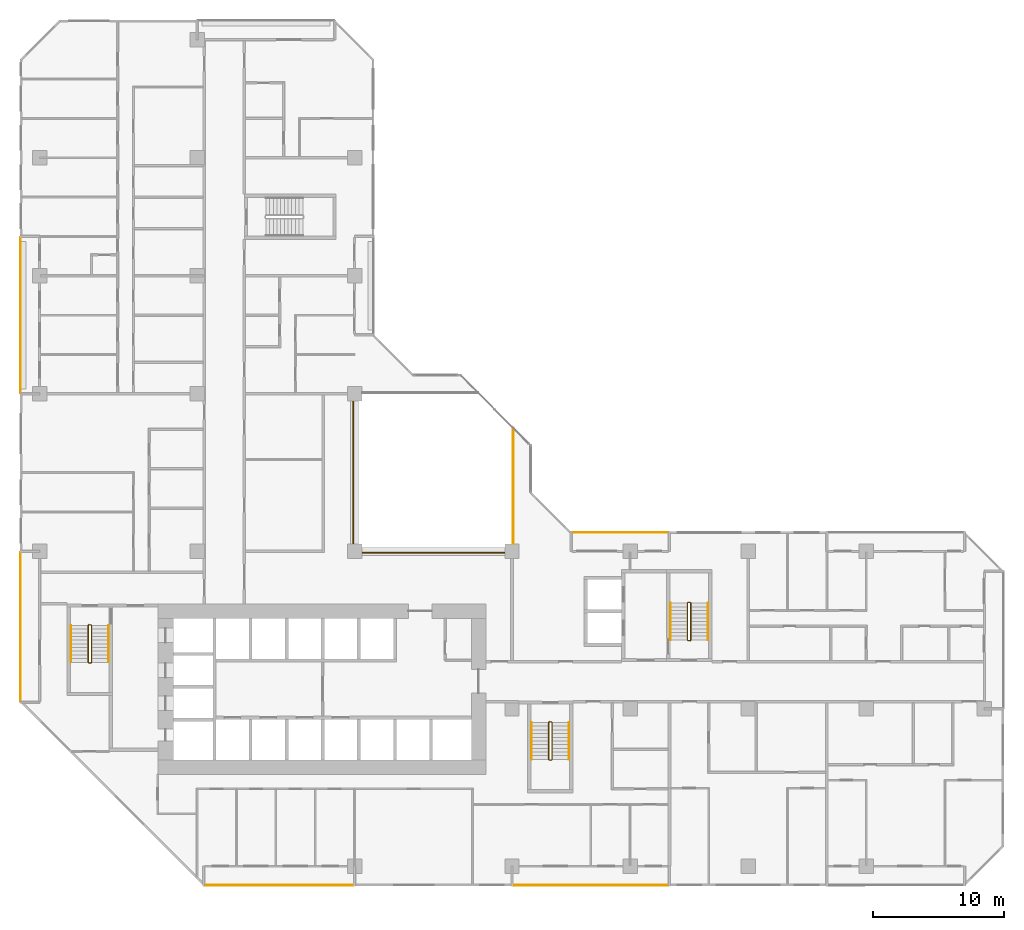
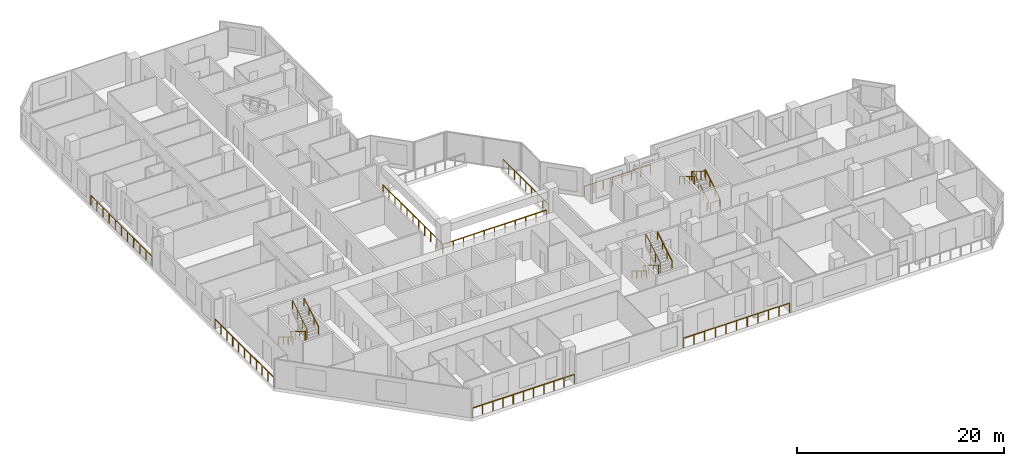
# One storey, part 14 of 15: 16 railings.
"""IFC4 building model written with IfcOpenShell, lengths in metres."""

import ifcopenshell
import ifcopenshell.guid

model = None  # the IFC model being written
_history = None  # IfcOwnerHistory: only IFC2X3 demands one
_inside = {}  # id of a spatial element -> (the spatial element, [elements in it])
_under = {}  # id of a project, library or spatial element -> (it, [spatial elements below it])
_declared = {}  # id of a project -> (the project, [libraries it declares])
_typed = {}  # id of a type object -> (the type object, [elements of that type])
_made_of = {}  # id of a material, layer set ... -> (it, [elements and type objects made of it])


def new_model(schema):
    """Start an empty IFC model of exactly this schema.

    Asked for "IFC4X3", IfcOpenShell would pick the latest addendum, in which some entities
    have other attributes; the version numbers below select the first issue.
    IFC2X3 requires an IfcOwnerHistory on every rooted entity: one is made here for all.
    """
    global model, _history
    if schema == "IFC4X3":
        model = ifcopenshell.file(schema_version=(4, 3, 0, 0))
    else:
        model = ifcopenshell.file(schema=schema)
    _inside.clear()
    _under.clear()
    _declared.clear()
    _typed.clear()
    _made_of.clear()
    _history = None
    if model.schema == "IFC2X3":
        org = make("IfcOrganization", Name="unknown")
        user = make(
            "IfcPersonAndOrganization",
            ThePerson=make("IfcPerson", FamilyName="unknown"),
            TheOrganization=org,
        )
        app = make(
            "IfcApplication",
            ApplicationDeveloper=org,
            Version="unknown",
            ApplicationFullName="unknown",
            ApplicationIdentifier="unknown",
        )
        _history = make(
            "IfcOwnerHistory",
            OwningUser=user,
            OwningApplication=app,
            ChangeAction="ADDED",
            CreationDate=0,
        )
    return model


def make(cls, **values):
    """One entity of the class cls with the attributes given. An attribute that is None is left unset."""
    return model.create_entity(
        cls, **{name: value for name, value in values.items() if value is not None}
    )


def rooted(cls, **values):
    """An entity with a GlobalId (a new one), such as an element, a storey or a relation."""
    return make(cls, GlobalId=ifcopenshell.guid.new(), OwnerHistory=_history, **values)


def si_unit(unit_type, name, prefix=None):
    """IfcSIUnit, for example si_unit("LENGTHUNIT", "METRE", prefix="MILLI")."""
    return make("IfcSIUnit", UnitType=unit_type, Prefix=prefix, Name=name)


def assignment(units):
    """IfcUnitAssignment: the units of a project."""
    return None if units is None else make("IfcUnitAssignment", Units=units)


def point(xyz):
    """IfcCartesianPoint."""
    return None if xyz is None else make("IfcCartesianPoint", Coordinates=xyz)


def direction(xyz):
    """IfcDirection."""
    return None if xyz is None else make("IfcDirection", DirectionRatios=xyz)


def frame(location, z_axis=None, x_axis=None):
    """IfcAxis2Placement3D, a coordinate frame: its origin and axes. An axis left out is left unset."""
    return make(
        "IfcAxis2Placement3D",
        Location=point(location),
        Axis=direction(z_axis),
        RefDirection=direction(x_axis),
    )


def frame_2d(location, x_axis=None):
    """IfcAxis2Placement2D, a coordinate frame in the plane: its origin and x axis."""
    return make(
        "IfcAxis2Placement2D", Location=point(location), RefDirection=direction(x_axis)
    )


def origin():
    """The frame at (0, 0, 0) with its axes left unset."""
    return frame((0.0, 0.0, 0.0))


def origin_2d():
    """The frame at (0, 0) in the plane with its x axis left unset."""
    return frame_2d((0.0, 0.0))


def place(relative_to, where):
    """IfcLocalPlacement: puts the frame where relative to a parent placement (None: the world)."""
    return make(
        "IfcLocalPlacement", PlacementRelTo=relative_to, RelativePlacement=where
    )


def context(
    kind, dimensions, precision=None, world=None, true_north=None, identifier=None
):
    """IfcGeometricRepresentationContext, for example the 3D "Model" context."""
    return make(
        "IfcGeometricRepresentationContext",
        ContextIdentifier=identifier,
        ContextType=kind,
        CoordinateSpaceDimension=dimensions,
        Precision=precision,
        WorldCoordinateSystem=world,
        TrueNorth=true_north,
    )


def subcontext(parent, identifier, kind, view, scale=None):
    """IfcGeometricRepresentationSubContext, for example "Body" below "Model"."""
    return make(
        "IfcGeometricRepresentationSubContext",
        ContextIdentifier=identifier,
        ContextType=kind,
        ParentContext=parent,
        TargetScale=scale,
        TargetView=view,
    )


def project(units=None, contexts=None):
    """IfcProject with its units and contexts."""
    return rooted(
        "IfcProject",
        Name="project",
        RepresentationContexts=contexts,
        UnitsInContext=assignment(units),
    )


def spatial(cls, under=None, at=None, **own):
    """A site, building, storey or space (cls), placed at a placement, below another one or the project."""
    s = rooted(cls, ObjectPlacement=at, **own)
    if under is not None:
        _under.setdefault(under.id(), (under, []))[1].append(s)
    return s


def profile(cls, at=None, kind="AREA", **sizes):
    """A parametric profile (cls). Its sizes go by their IFC names, for example OverallWidth=200.0."""
    return make(cls, ProfileType=kind, Position=at, **sizes)


def rectangle(**sizes):
    """IfcRectangleProfileDef."""
    return profile("IfcRectangleProfileDef", **sizes)


def extrude(swept, where, along, depth):
    """IfcExtrudedAreaSolid: the profile swept, set in the frame where, extruded along a direction by depth."""
    return make(
        "IfcExtrudedAreaSolid",
        SweptArea=swept,
        Position=where,
        ExtrudedDirection=direction(along),
        Depth=depth,
    )


def shape(context_of_items, identifier, shape_type, items):
    """IfcShapeRepresentation: the items that make up one representation, for example the "Body"."""
    return make(
        "IfcShapeRepresentation",
        ContextOfItems=context_of_items,
        RepresentationIdentifier=identifier,
        RepresentationType=shape_type,
        Items=items,
    )


def material(Name=None, Category=None):
    """IfcMaterial."""
    return make("IfcMaterial", Name=Name, Category=Category)


def made_of(thing, what):
    """Note that an element or type object is made of a material, layer set ...; save() writes the relation."""
    if what is not None:
        _made_of.setdefault(what.id(), (what, []))[1].append(thing)
    return thing


def type_object(cls, material=None, **own):
    """A type object (cls), such as IfcWallType, which elements share."""
    return made_of(rooted(cls, **own), material)


def element(
    cls,
    number,
    at=None,
    inside=None,
    cuts=None,
    type_object=None,
    material=None,
    context=None,
    identifier="Body",
    shape_type=None,
    held_by="IfcProductDefinitionShape",
    body=None,
    shapes=None,
    **own,
):
    """One element of the class cls, such as IfcWall. Its Tag is "e" and its number.

    at: its placement. inside: the storey or other place that contains it. cuts: it is an
    opening in that element (IfcRelVoidsElement). A single representation is given by context,
    identifier, shape_type and body (its items); several are given by shapes. held_by: the class
    of the entity that holds the representations. save() writes the other relations.
    """
    e = rooted(cls, Tag="e%d" % number, ObjectPlacement=at, **own)
    if body is not None:
        shapes = [shape(context, identifier, shape_type, body)]
    if shapes is not None:
        e.Representation = make(held_by, Representations=shapes)
    if inside is not None:
        _inside.setdefault(inside.id(), (inside, []))[1].append(e)
    if cuts is not None:
        rooted(
            "IfcRelVoidsElement", RelatingBuildingElement=cuts, RelatedOpeningElement=e
        )
    if type_object is not None:
        _typed.setdefault(type_object.id(), (type_object, []))[1].append(e)
    return made_of(e, material)


def aggregate(whole, parts):
    """IfcRelAggregates: a whole, such as a stair, and the parts it consists of."""
    return rooted("IfcRelAggregates", RelatingObject=whole, RelatedObjects=parts)


def save(model, path):
    """Write the relations noted so far, then the file.

    IfcRelAggregates (storeys below a building ...), IfcRelContainedInSpatialStructure (elements
    in a storey), IfcRelDefinesByType, IfcRelAssociatesMaterial and IfcRelDeclares: one each for
    every whole, place, type object, material and project.
    """
    for whole, parts in _under.values():
        aggregate(whole, parts)
    for where, things in _inside.values():
        rooted(
            "IfcRelContainedInSpatialStructure",
            RelatedElements=things,
            RelatingStructure=where,
        )
    for kind, things in _typed.values():
        rooted("IfcRelDefinesByType", RelatedObjects=things, RelatingType=kind)
    for what, things in _made_of.values():
        rooted("IfcRelAssociatesMaterial", RelatedObjects=things, RelatingMaterial=what)
    for by, libraries in _declared.values():
        rooted("IfcRelDeclares", RelatingContext=by, RelatedDefinitions=libraries)
    model.write(path)


model = new_model("IFC4")

# Units and contexts
model_context = context("Model", 3, precision=1e-05, world=origin(), true_north=direction((0.0, 1.0)))
body_context = subcontext(model_context, "Body", "Model", "MODEL_VIEW")
ifc_project = project(units=[si_unit("LENGTHUNIT", "METRE"), si_unit("AREAUNIT", "SQUARE_METRE"), si_unit("VOLUMEUNIT", "CUBIC_METRE"), si_unit("PLANEANGLEUNIT", "RADIAN"), si_unit("MASSUNIT", "GRAM", prefix="KILO")], contexts=[model_context])

# Site, building, storey
site_placement = place(None, origin())
site = spatial("IfcSite", under=ifc_project, at=site_placement, CompositionType="ELEMENT")
building_placement = place(site_placement, origin())
building = spatial("IfcBuilding", under=site, at=building_placement, Name="Chenar Terraces", CompositionType="ELEMENT")
storey_placement = place(building_placement, frame((0.0, 0.0, 60.14990234375)))
storey = spatial("IfcBuildingStorey", under=building, at=storey_placement, Name="L12", CompositionType="ELEMENT", Elevation=60.14990234375)

# Railings
ifc_material_1 = material(Name="Powder-coated steel", Category="steel")
railing_type_1 = type_object("IfcRailingType", Name="Guard 1100 steel rail with glass infill", PredefinedType="GUARDRAIL", material=ifc_material_1)
railing_1_placement = place(storey_placement, frame((23.89990234375, 35.449951171875, 0.0)))
element("IfcRailing", 1, at=railing_1_placement, inside=storey, type_object=railing_type_1, Name="Guard L12-1", PredefinedType="GUARDRAIL", context=body_context, shape_type="SweptSolid", body=[
    extrude(rectangle(XDim=0.06005859375, YDim=0.06005859375, at=origin_2d()), frame((0.0, 0.0, 1.070068359375), z_axis=(0.0, -1.0, 0.0), x_axis=(1.0, 0.0, 0.0)), (0.0, 0.0, 1.0), 11.550048828125),
    extrude(rectangle(XDim=0.06005859375, YDim=0.06005859375, at=origin_2d()), frame((0.0, -11.550048828125, 1.070068359375), z_axis=(1.0, 0.0, 0.0), x_axis=(0.0, 1.0, 0.0)), (0.0, 0.0, 1.0), 11.550048828125),
    extrude(rectangle(XDim=0.050048828125, YDim=0.050048828125, at=origin_2d()), origin(), (0.0, 0.0, 1.0), 1.0400390625),
    extrude(rectangle(XDim=0.050048828125, YDim=0.050048828125, at=origin_2d()), frame((0.0, -1.155029296875, 0.0)), (0.0, 0.0, 1.0), 1.0400390625),
    extrude(rectangle(XDim=0.050048828125, YDim=0.050048828125, at=origin_2d()), frame((0.0, -2.31005859375, 0.0)), (0.0, 0.0, 1.0), 1.0400390625),
    extrude(rectangle(XDim=0.050048828125, YDim=0.050048828125, at=origin_2d()), frame((0.0, -3.465087890625, 0.0)), (0.0, 0.0, 1.0), 1.0400390625),
    extrude(rectangle(XDim=0.050048828125, YDim=0.050048828125, at=origin_2d()), frame((0.0, -4.6201171875, 0.0)), (0.0, 0.0, 1.0), 1.0400390625),
    extrude(rectangle(XDim=0.050048828125, YDim=0.050048828125, at=origin_2d()), frame((0.0, -5.77490234375, 0.0)), (0.0, 0.0, 1.0), 1.0400390625),
    extrude(rectangle(XDim=0.050048828125, YDim=0.050048828125, at=origin_2d()), frame((0.0, -6.929931640625, 0.0)), (0.0, 0.0, 1.0), 1.0400390625),
    extrude(rectangle(XDim=0.050048828125, YDim=0.050048828125, at=origin_2d()), frame((0.0, -8.0849609375, 0.0)), (0.0, 0.0, 1.0), 1.0400390625),
    extrude(rectangle(XDim=0.050048828125, YDim=0.050048828125, at=origin_2d()), frame((0.0, -9.239990234375, 0.0)), (0.0, 0.0, 1.0), 1.0400390625),
    extrude(rectangle(XDim=0.050048828125, YDim=0.050048828125, at=origin_2d()), frame((0.0, -10.39501953125, 0.0)), (0.0, 0.0, 1.0), 1.0400390625),
    extrude(rectangle(XDim=0.050048828125, YDim=0.050048828125, at=origin_2d()), frame((0.0, -11.550048828125, 0.0)), (0.0, 0.0, 1.0), 1.0400390625),
    extrude(rectangle(XDim=0.050048828125, YDim=0.050048828125, at=origin_2d()), frame((1.155029296875, -11.550048828125, 0.0)), (0.0, 0.0, 1.0), 1.0400390625),
    extrude(rectangle(XDim=0.050048828125, YDim=0.050048828125, at=origin_2d()), frame((2.31005859375, -11.550048828125, 0.0)), (0.0, 0.0, 1.0), 1.0400390625),
    extrude(rectangle(XDim=0.050048828125, YDim=0.050048828125, at=origin_2d()), frame((3.465087890625, -11.550048828125, 0.0)), (0.0, 0.0, 1.0), 1.0400390625),
    extrude(rectangle(XDim=0.050048828125, YDim=0.050048828125, at=origin_2d()), frame((4.6201171875, -11.550048828125, 0.0)), (0.0, 0.0, 1.0), 1.0400390625),
    extrude(rectangle(XDim=0.050048828125, YDim=0.050048828125, at=origin_2d()), frame((5.77490234375, -11.550048828125, 0.0)), (0.0, 0.0, 1.0), 1.0400390625),
    extrude(rectangle(XDim=0.050048828125, YDim=0.050048828125, at=origin_2d()), frame((6.929931640625, -11.550048828125, 0.0)), (0.0, 0.0, 1.0), 1.0400390625),
    extrude(rectangle(XDim=0.050048828125, YDim=0.050048828125, at=origin_2d()), frame((8.0849609375, -11.550048828125, 0.0)), (0.0, 0.0, 1.0), 1.0400390625),
    extrude(rectangle(XDim=0.050048828125, YDim=0.050048828125, at=origin_2d()), frame((9.239990234375, -11.550048828125, 0.0)), (0.0, 0.0, 1.0), 1.0400390625),
    extrude(rectangle(XDim=0.050048828125, YDim=0.050048828125, at=origin_2d()), frame((10.39501953125, -11.550048828125, 0.0)), (0.0, 0.0, 1.0), 1.0400390625),
    extrude(rectangle(XDim=0.050048828125, YDim=0.050048828125, at=origin_2d()), frame((11.550048828125, -11.550048828125, 0.0)), (0.0, 0.0, 1.0), 1.0400390625),
])
railing_2_placement = place(storey_placement, frame((36.10009765625, 24.60009765625, 0.0)))
element("IfcRailing", 2, at=railing_2_placement, inside=storey, type_object=railing_type_1, Name="Guard L12-3", PredefinedType="GUARDRAIL", context=body_context, shape_type="SweptSolid", body=[
    extrude(rectangle(XDim=0.06005859375, YDim=0.06005859375, at=origin_2d()), frame((0.0, 0.0, 1.070068359375), z_axis=(0.0, 1.0, 0.0), x_axis=(-1.0, 0.0, 0.0)), (0.0, 0.0, 1.0), 8.7998046875),
    extrude(rectangle(XDim=0.050048828125, YDim=0.050048828125, at=origin_2d()), origin(), (0.0, 0.0, 1.0), 1.0400390625),
    extrude(rectangle(XDim=0.050048828125, YDim=0.050048828125, at=origin_2d()), frame((0.0, 1.10009765625, 0.0)), (0.0, 0.0, 1.0), 1.0400390625),
    extrude(rectangle(XDim=0.050048828125, YDim=0.050048828125, at=origin_2d()), frame((0.0, 2.199951171875, 0.0)), (0.0, 0.0, 1.0), 1.0400390625),
    extrude(rectangle(XDim=0.050048828125, YDim=0.050048828125, at=origin_2d()), frame((0.0, 3.2998046875, 0.0)), (0.0, 0.0, 1.0), 1.0400390625),
    extrude(rectangle(XDim=0.050048828125, YDim=0.050048828125, at=origin_2d()), frame((0.0, 4.39990234375, 0.0)), (0.0, 0.0, 1.0), 1.0400390625),
    extrude(rectangle(XDim=0.050048828125, YDim=0.050048828125, at=origin_2d()), frame((0.0, 5.5, 0.0)), (0.0, 0.0, 1.0), 1.0400390625),
    extrude(rectangle(XDim=0.050048828125, YDim=0.050048828125, at=origin_2d()), frame((0.0, 6.599853515625, 0.0)), (0.0, 0.0, 1.0), 1.0400390625),
    extrude(rectangle(XDim=0.050048828125, YDim=0.050048828125, at=origin_2d()), frame((0.0, 7.69970703125, 0.0)), (0.0, 0.0, 1.0), 1.0400390625),
    extrude(rectangle(XDim=0.050048828125, YDim=0.050048828125, at=origin_2d()), frame((0.0, 8.7998046875, 0.0)), (0.0, 0.0, 1.0), 1.0400390625),
])
ifc_material_2 = material(Name="Stainless steel and glass", Category="steel")
railing_type_2 = type_object("IfcRailingType", Name="Loggia guard 1150", PredefinedType="GUARDRAIL", material=ifc_material_2)
railing_3_placement = place(storey_placement, frame((47.925048828125, 25.449951171875, 0.0)))
element("IfcRailing", 3, at=railing_3_placement, inside=storey, type_object=railing_type_2, Name="Loggia guard", PredefinedType="GUARDRAIL", context=body_context, shape_type="SweptSolid", body=[
    extrude(rectangle(XDim=0.048095703125, YDim=0.048095703125, at=origin_2d()), frame((0.0, 0.0, 1.1259765625), z_axis=(-1.0, 0.0, 0.0), x_axis=(0.0, -1.0, 0.0)), (0.0, 0.0, 1.0), 7.35009765625),
    extrude(rectangle(XDim=0.0419921875, YDim=0.0419921875, at=origin_2d()), origin(), (0.0, 0.0, 1.0), 1.101806640625),
    extrude(rectangle(XDim=0.0419921875, YDim=0.0419921875, at=origin_2d()), frame((-1.050048828125, 0.0, 0.0)), (0.0, 0.0, 1.0), 1.101806640625),
    extrude(rectangle(XDim=0.0419921875, YDim=0.0419921875, at=origin_2d()), frame((-2.10009765625, 0.0, 0.0)), (0.0, 0.0, 1.0), 1.101806640625),
    extrude(rectangle(XDim=0.0419921875, YDim=0.0419921875, at=origin_2d()), frame((-3.150146484375, 0.0, 0.0)), (0.0, 0.0, 1.0), 1.101806640625),
    extrude(rectangle(XDim=0.0419921875, YDim=0.0419921875, at=origin_2d()), frame((-4.199951171875, 0.0, 0.0)), (0.0, 0.0, 1.0), 1.101806640625),
    extrude(rectangle(XDim=0.0419921875, YDim=0.0419921875, at=origin_2d()), frame((-5.25, 0.0, 0.0)), (0.0, 0.0, 1.0), 1.101806640625),
    extrude(rectangle(XDim=0.0419921875, YDim=0.0419921875, at=origin_2d()), frame((-6.300048828125, 0.0, 0.0)), (0.0, 0.0, 1.0), 1.101806640625),
    extrude(rectangle(XDim=0.0419921875, YDim=0.0419921875, at=origin_2d()), frame((-7.35009765625, 0.0, 0.0)), (0.0, 0.0, 1.0), 1.101806640625),
])
railing_4_placement = place(storey_placement, frame((12.574951171875, -1.449951171875, 0.0)))
element("IfcRailing", 4, at=railing_4_placement, inside=storey, type_object=railing_type_2, Name="Loggia guard", PredefinedType="GUARDRAIL", context=body_context, shape_type="SweptSolid", body=[
    extrude(rectangle(XDim=0.048095703125, YDim=0.048095703125, at=origin_2d()), frame((0.0, 0.0, 1.1259765625), z_axis=(1.0, 0.0, 0.0), x_axis=(0.0, 1.0, 0.0)), (0.0, 0.0, 1.0), 11.35009765625),
    extrude(rectangle(XDim=0.0419921875, YDim=0.0419921875, at=origin_2d()), origin(), (0.0, 0.0, 1.0), 1.101806640625),
    extrude(rectangle(XDim=0.0419921875, YDim=0.0419921875, at=origin_2d()), frame((1.135009765625, 0.0, 0.0)), (0.0, 0.0, 1.0), 1.101806640625),
    extrude(rectangle(XDim=0.0419921875, YDim=0.0419921875, at=origin_2d()), frame((2.27001953125, 0.0, 0.0)), (0.0, 0.0, 1.0), 1.101806640625),
    extrude(rectangle(XDim=0.0419921875, YDim=0.0419921875, at=origin_2d()), frame((3.405029296875, 0.0, 0.0)), (0.0, 0.0, 1.0), 1.101806640625),
    extrude(rectangle(XDim=0.0419921875, YDim=0.0419921875, at=origin_2d()), frame((4.5400390625, 0.0, 0.0)), (0.0, 0.0, 1.0), 1.101806640625),
    extrude(rectangle(XDim=0.0419921875, YDim=0.0419921875, at=origin_2d()), frame((5.675048828125, 0.0, 0.0)), (0.0, 0.0, 1.0), 1.101806640625),
    extrude(rectangle(XDim=0.0419921875, YDim=0.0419921875, at=origin_2d()), frame((6.81005859375, 0.0, 0.0)), (0.0, 0.0, 1.0), 1.101806640625),
    extrude(rectangle(XDim=0.0419921875, YDim=0.0419921875, at=origin_2d()), frame((7.945068359375, 0.0, 0.0)), (0.0, 0.0, 1.0), 1.101806640625),
    extrude(rectangle(XDim=0.0419921875, YDim=0.0419921875, at=origin_2d()), frame((9.080078125, 0.0, 0.0)), (0.0, 0.0, 1.0), 1.101806640625),
    extrude(rectangle(XDim=0.0419921875, YDim=0.0419921875, at=origin_2d()), frame((10.215087890625, 0.0, 0.0)), (0.0, 0.0, 1.0), 1.101806640625),
    extrude(rectangle(XDim=0.0419921875, YDim=0.0419921875, at=origin_2d()), frame((11.35009765625, 0.0, 0.0)), (0.0, 0.0, 1.0), 1.101806640625),
])
railing_5_placement = place(storey_placement, frame((36.074951171875, -1.449951171875, 0.0)))
element("IfcRailing", 5, at=railing_5_placement, inside=storey, type_object=railing_type_2, Name="Loggia guard", PredefinedType="GUARDRAIL", context=body_context, shape_type="SweptSolid", body=[
    extrude(rectangle(XDim=0.048095703125, YDim=0.048095703125, at=origin_2d()), frame((0.0, 0.0, 1.1259765625), z_axis=(1.0, 0.0, 0.0), x_axis=(0.0, 1.0, 0.0)), (0.0, 0.0, 1.0), 11.85009765625),
    extrude(rectangle(XDim=0.0419921875, YDim=0.0419921875, at=origin_2d()), origin(), (0.0, 0.0, 1.0), 1.101806640625),
    extrude(rectangle(XDim=0.0419921875, YDim=0.0419921875, at=origin_2d()), frame((1.18505859375, 0.0, 0.0)), (0.0, 0.0, 1.0), 1.101806640625),
    extrude(rectangle(XDim=0.0419921875, YDim=0.0419921875, at=origin_2d()), frame((2.3701171875, 0.0, 0.0)), (0.0, 0.0, 1.0), 1.101806640625),
    extrude(rectangle(XDim=0.0419921875, YDim=0.0419921875, at=origin_2d()), frame((3.554931640625, 0.0, 0.0)), (0.0, 0.0, 1.0), 1.101806640625),
    extrude(rectangle(XDim=0.0419921875, YDim=0.0419921875, at=origin_2d()), frame((4.739990234375, 0.0, 0.0)), (0.0, 0.0, 1.0), 1.101806640625),
    extrude(rectangle(XDim=0.0419921875, YDim=0.0419921875, at=origin_2d()), frame((5.925048828125, 0.0, 0.0)), (0.0, 0.0, 1.0), 1.101806640625),
    extrude(rectangle(XDim=0.0419921875, YDim=0.0419921875, at=origin_2d()), frame((7.110107421875, 0.0, 0.0)), (0.0, 0.0, 1.0), 1.101806640625),
    extrude(rectangle(XDim=0.0419921875, YDim=0.0419921875, at=origin_2d()), frame((8.295166015625, 0.0, 0.0)), (0.0, 0.0, 1.0), 1.101806640625),
    extrude(rectangle(XDim=0.0419921875, YDim=0.0419921875, at=origin_2d()), frame((9.47998046875, 0.0, 0.0)), (0.0, 0.0, 1.0), 1.101806640625),
    extrude(rectangle(XDim=0.0419921875, YDim=0.0419921875, at=origin_2d()), frame((10.6650390625, 0.0, 0.0)), (0.0, 0.0, 1.0), 1.101806640625),
    extrude(rectangle(XDim=0.0419921875, YDim=0.0419921875, at=origin_2d()), frame((11.85009765625, 0.0, 0.0)), (0.0, 0.0, 1.0), 1.101806640625),
])
railing_6_placement = place(storey_placement, frame((-1.449951171875, 47.925048828125, 0.0)))
element("IfcRailing", 6, at=railing_6_placement, inside=storey, type_object=railing_type_2, Name="Loggia guard", PredefinedType="GUARDRAIL", context=body_context, shape_type="SweptSolid", body=[
    extrude(rectangle(XDim=0.048095703125, YDim=0.048095703125, at=origin_2d()), frame((0.0, 0.0, 1.1259765625), z_axis=(0.0, -1.0, 0.0), x_axis=(1.0, 0.0, 0.0)), (0.0, 0.0, 1.0), 11.85009765625),
    extrude(rectangle(XDim=0.0419921875, YDim=0.0419921875, at=origin_2d()), origin(), (0.0, 0.0, 1.0), 1.101806640625),
    extrude(rectangle(XDim=0.0419921875, YDim=0.0419921875, at=origin_2d()), frame((0.0, -1.18505859375, 0.0)), (0.0, 0.0, 1.0), 1.101806640625),
    extrude(rectangle(XDim=0.0419921875, YDim=0.0419921875, at=origin_2d()), frame((0.0, -2.3701171875, 0.0)), (0.0, 0.0, 1.0), 1.101806640625),
    extrude(rectangle(XDim=0.0419921875, YDim=0.0419921875, at=origin_2d()), frame((0.0, -3.554931640625, 0.0)), (0.0, 0.0, 1.0), 1.101806640625),
    extrude(rectangle(XDim=0.0419921875, YDim=0.0419921875, at=origin_2d()), frame((0.0, -4.739990234375, 0.0)), (0.0, 0.0, 1.0), 1.101806640625),
    extrude(rectangle(XDim=0.0419921875, YDim=0.0419921875, at=origin_2d()), frame((0.0, -5.925048828125, 0.0)), (0.0, 0.0, 1.0), 1.101806640625),
    extrude(rectangle(XDim=0.0419921875, YDim=0.0419921875, at=origin_2d()), frame((0.0, -7.110107421875, 0.0)), (0.0, 0.0, 1.0), 1.101806640625),
    extrude(rectangle(XDim=0.0419921875, YDim=0.0419921875, at=origin_2d()), frame((0.0, -8.295166015625, 0.0)), (0.0, 0.0, 1.0), 1.101806640625),
    extrude(rectangle(XDim=0.0419921875, YDim=0.0419921875, at=origin_2d()), frame((0.0, -9.47998046875, 0.0)), (0.0, 0.0, 1.0), 1.101806640625),
    extrude(rectangle(XDim=0.0419921875, YDim=0.0419921875, at=origin_2d()), frame((0.0, -10.6650390625, 0.0)), (0.0, 0.0, 1.0), 1.101806640625),
    extrude(rectangle(XDim=0.0419921875, YDim=0.0419921875, at=origin_2d()), frame((0.0, -11.85009765625, 0.0)), (0.0, 0.0, 1.0), 1.101806640625),
])
railing_7_placement = place(storey_placement, frame((-1.449951171875, 23.925048828125, 0.0)))
element("IfcRailing", 7, at=railing_7_placement, inside=storey, type_object=railing_type_2, Name="Loggia guard", PredefinedType="GUARDRAIL", context=body_context, shape_type="SweptSolid", body=[
    extrude(rectangle(XDim=0.048095703125, YDim=0.048095703125, at=origin_2d()), frame((0.0, 0.0, 1.1259765625), z_axis=(0.0, -1.0, 0.0), x_axis=(1.0, 0.0, 0.0)), (0.0, 0.0, 1.0), 11.35009765625),
    extrude(rectangle(XDim=0.0419921875, YDim=0.0419921875, at=origin_2d()), origin(), (0.0, 0.0, 1.0), 1.101806640625),
    extrude(rectangle(XDim=0.0419921875, YDim=0.0419921875, at=origin_2d()), frame((0.0, -1.135009765625, 0.0)), (0.0, 0.0, 1.0), 1.101806640625),
    extrude(rectangle(XDim=0.0419921875, YDim=0.0419921875, at=origin_2d()), frame((0.0, -2.27001953125, 0.0)), (0.0, 0.0, 1.0), 1.101806640625),
    extrude(rectangle(XDim=0.0419921875, YDim=0.0419921875, at=origin_2d()), frame((0.0, -3.405029296875, 0.0)), (0.0, 0.0, 1.0), 1.101806640625),
    extrude(rectangle(XDim=0.0419921875, YDim=0.0419921875, at=origin_2d()), frame((0.0, -4.5400390625, 0.0)), (0.0, 0.0, 1.0), 1.101806640625),
    extrude(rectangle(XDim=0.0419921875, YDim=0.0419921875, at=origin_2d()), frame((0.0, -5.675048828125, 0.0)), (0.0, 0.0, 1.0), 1.101806640625),
    extrude(rectangle(XDim=0.0419921875, YDim=0.0419921875, at=origin_2d()), frame((0.0, -6.81005859375, 0.0)), (0.0, 0.0, 1.0), 1.101806640625),
    extrude(rectangle(XDim=0.0419921875, YDim=0.0419921875, at=origin_2d()), frame((0.0, -7.945068359375, 0.0)), (0.0, 0.0, 1.0), 1.101806640625),
    extrude(rectangle(XDim=0.0419921875, YDim=0.0419921875, at=origin_2d()), frame((0.0, -9.080078125, 0.0)), (0.0, 0.0, 1.0), 1.101806640625),
    extrude(rectangle(XDim=0.0419921875, YDim=0.0419921875, at=origin_2d()), frame((0.0, -10.215087890625, 0.0)), (0.0, 0.0, 1.0), 1.101806640625),
    extrude(rectangle(XDim=0.0419921875, YDim=0.0419921875, at=origin_2d()), frame((0.0, -11.35009765625, 0.0)), (0.0, 0.0, 1.0), 1.101806640625),
])
ifc_material_3 = material(Name="Powder-coated steel", Category="steel")
railing_type_3 = type_object("IfcRailingType", Name="Stair guard 1100", PredefinedType="GUARDRAIL", material=ifc_material_3)
railing_8_placement = place(storey_placement, frame((3.949951171875, 18.35009765625, 3.75)))
element("IfcRailing", 8, at=railing_8_placement, inside=storey, type_object=railing_type_3, Name="L12 ST1 stair guard 1", PredefinedType="GUARDRAIL", context=body_context, shape_type="SweptSolid", body=[
    extrude(rectangle(XDim=0.048095703125, YDim=0.048095703125, at=origin_2d()), frame((0.0, 0.0, 1.076171875), z_axis=(0.0, -0.854202870247, -0.519939858505), x_axis=(1.0, 0.0, 0.0)), (0.0, 0.0, 1.0), 3.278076171875),
    extrude(rectangle(XDim=0.048095703125, YDim=0.048095703125, at=origin_2d()), frame((0.0, -2.800048828125, -0.62841796875), z_axis=(-0.270899902878, -0.270899902878, -0.923702595667), x_axis=(0.707106781187, -0.707106781187, 0.0)), (0.0, 0.0, 1.0), 0.184814453125),
    extrude(rectangle(XDim=0.048095703125, YDim=0.048095703125, at=origin_2d()), frame((-0.050048828125, -2.85009765625, -0.798828125), z_axis=(-1.0, 0.0, 0.0), x_axis=(0.0, -1.0, 0.0)), (0.0, 0.0, 1.0), 0.14990234375),
    extrude(rectangle(XDim=0.048095703125, YDim=0.048095703125, at=origin_2d()), frame((-0.199951171875, -2.85009765625, -0.798828125), z_axis=(-0.707106781187, 0.707106781187, 0.0), x_axis=(-0.707106781187, -0.707106781187, 0.0)), (0.0, 0.0, 1.0), 0.07080078125),
    extrude(rectangle(XDim=0.048095703125, YDim=0.048095703125, at=origin_2d()), frame((-0.25, -2.800048828125, -0.798828125), z_axis=(0.0, 0.854202870247, -0.519939858505), x_axis=(-1.0, 0.0, 0.0)), (0.0, 0.0, 1.0), 3.278076171875),
    extrude(rectangle(XDim=0.048095703125, YDim=0.048095703125, at=origin_2d()), frame((-0.25, 0.0, -2.50341796875), z_axis=(0.270996696079, 0.269674760976, -0.924032636873), x_axis=(-0.705375805398, 0.708833529934, 0.0)), (0.0, 0.0, 1.0), 0.1845703125),
    extrude(rectangle(XDim=0.048095703125, YDim=0.048095703125, at=origin_2d()), frame((-0.199951171875, 0.0498046875, -2.673828125), z_axis=(1.0, 0.0, 0.0), x_axis=(0.0, 1.0, 0.0)), (0.0, 0.0, 1.0), 0.14990234375),
    extrude(rectangle(XDim=0.0419921875, YDim=0.0419921875, at=origin_2d()), origin(), (0.0, 0.0, 1.0), 1.052001953125),
    extrude(rectangle(XDim=0.0419921875, YDim=0.0419921875, at=origin_2d()), frame((0.0, -0.933349609375, -0.568115234375)), (0.0, 0.0, 1.0), 1.052001953125),
    extrude(rectangle(XDim=0.0419921875, YDim=0.0419921875, at=origin_2d()), frame((0.0, -1.86669921875, -1.13623046875)), (0.0, 0.0, 1.0), 1.052001953125),
    extrude(rectangle(XDim=0.0419921875, YDim=0.0419921875, at=origin_2d()), frame((0.0, -2.800048828125, -1.704345703125)), (0.0, 0.0, 1.0), 1.052001953125),
    extrude(rectangle(XDim=0.0419921875, YDim=0.0419921875, at=origin_2d()), frame((-0.050048828125, -2.85009765625, -1.875)), (0.0, 0.0, 1.0), 1.052001953125),
    extrude(rectangle(XDim=0.0419921875, YDim=0.0419921875, at=origin_2d()), frame((-0.199951171875, -2.85009765625, -1.875)), (0.0, 0.0, 1.0), 1.052001953125),
    extrude(rectangle(XDim=0.0419921875, YDim=0.0419921875, at=origin_2d()), frame((-0.25, -2.800048828125, -1.875)), (0.0, 0.0, 1.0), 1.052001953125),
    extrude(rectangle(XDim=0.0419921875, YDim=0.0419921875, at=origin_2d()), frame((-0.25, -1.86669921875, -2.443115234375)), (0.0, 0.0, 1.0), 1.052001953125),
    extrude(rectangle(XDim=0.0419921875, YDim=0.0419921875, at=origin_2d()), frame((-0.25, -0.933349609375, -3.01123046875)), (0.0, 0.0, 1.0), 1.052001953125),
    extrude(rectangle(XDim=0.0419921875, YDim=0.0419921875, at=origin_2d()), frame((-0.25, 0.0, -3.579345703125)), (0.0, 0.0, 1.0), 1.052001953125),
    extrude(rectangle(XDim=0.0419921875, YDim=0.0419921875, at=origin_2d()), frame((-0.199951171875, 0.0498046875, -3.75)), (0.0, 0.0, 1.0), 1.052001953125),
    extrude(rectangle(XDim=0.0419921875, YDim=0.0419921875, at=origin_2d()), frame((-0.050048828125, 0.0498046875, -3.75)), (0.0, 0.0, 1.0), 1.052001953125),
])
railing_9_placement = place(storey_placement, frame((39.050048828125, 10.949951171875, 3.75)))
element("IfcRailing", 9, at=railing_9_placement, inside=storey, type_object=railing_type_3, Name="L12 ST2 stair guard 1", PredefinedType="GUARDRAIL", context=body_context, shape_type="SweptSolid", body=[
    extrude(rectangle(XDim=0.048095703125, YDim=0.048095703125, at=origin_2d()), frame((0.0, 0.0, 1.076171875), z_axis=(0.0, -0.854202870247, -0.519939858505), x_axis=(1.0, 0.0, 0.0)), (0.0, 0.0, 1.0), 3.278076171875),
    extrude(rectangle(XDim=0.048095703125, YDim=0.048095703125, at=origin_2d()), frame((0.0, -2.800048828125, -0.62841796875), z_axis=(-0.270996696079, -0.269674760976, -0.924032636873), x_axis=(0.705375805398, -0.708833529934, 0.0)), (0.0, 0.0, 1.0), 0.1845703125),
    extrude(rectangle(XDim=0.048095703125, YDim=0.048095703125, at=origin_2d()), frame((-0.050048828125, -2.849853515625, -0.798828125), z_axis=(-1.0, 0.0, 0.0), x_axis=(0.0, -1.0, 0.0)), (0.0, 0.0, 1.0), 0.14990234375),
    extrude(rectangle(XDim=0.048095703125, YDim=0.048095703125, at=origin_2d()), frame((-0.199951171875, -2.849853515625, -0.798828125), z_axis=(-0.708833529934, 0.705375805398, 0.0), x_axis=(-0.705375805398, -0.708833529934, 0.0)), (0.0, 0.0, 1.0), 0.070556640625),
    extrude(rectangle(XDim=0.048095703125, YDim=0.048095703125, at=origin_2d()), frame((-0.25, -2.800048828125, -0.798828125), z_axis=(0.0, 0.854202870247, -0.519939858505), x_axis=(-1.0, 0.0, 0.0)), (0.0, 0.0, 1.0), 3.278076171875),
    extrude(rectangle(XDim=0.048095703125, YDim=0.048095703125, at=origin_2d()), frame((-0.25, 0.0, -2.50341796875), z_axis=(0.270899902878, 0.270899902878, -0.923702595667), x_axis=(-0.707106781187, 0.707106781187, 0.0)), (0.0, 0.0, 1.0), 0.184814453125),
    extrude(rectangle(XDim=0.048095703125, YDim=0.048095703125, at=origin_2d()), frame((-0.199951171875, 0.050048828125, -2.673828125), z_axis=(1.0, 0.0, 0.0), x_axis=(0.0, 1.0, 0.0)), (0.0, 0.0, 1.0), 0.14990234375),
    extrude(rectangle(XDim=0.0419921875, YDim=0.0419921875, at=origin_2d()), origin(), (0.0, 0.0, 1.0), 1.052001953125),
    extrude(rectangle(XDim=0.0419921875, YDim=0.0419921875, at=origin_2d()), frame((0.0, -0.933349609375, -0.568115234375)), (0.0, 0.0, 1.0), 1.052001953125),
    extrude(rectangle(XDim=0.0419921875, YDim=0.0419921875, at=origin_2d()), frame((0.0, -1.86669921875, -1.13623046875)), (0.0, 0.0, 1.0), 1.052001953125),
    extrude(rectangle(XDim=0.0419921875, YDim=0.0419921875, at=origin_2d()), frame((0.0, -2.800048828125, -1.704345703125)), (0.0, 0.0, 1.0), 1.052001953125),
    extrude(rectangle(XDim=0.0419921875, YDim=0.0419921875, at=origin_2d()), frame((-0.050048828125, -2.849853515625, -1.875)), (0.0, 0.0, 1.0), 1.052001953125),
    extrude(rectangle(XDim=0.0419921875, YDim=0.0419921875, at=origin_2d()), frame((-0.199951171875, -2.849853515625, -1.875)), (0.0, 0.0, 1.0), 1.052001953125),
    extrude(rectangle(XDim=0.0419921875, YDim=0.0419921875, at=origin_2d()), frame((-0.25, -2.800048828125, -1.875)), (0.0, 0.0, 1.0), 1.052001953125),
    extrude(rectangle(XDim=0.0419921875, YDim=0.0419921875, at=origin_2d()), frame((-0.25, -1.86669921875, -2.443115234375)), (0.0, 0.0, 1.0), 1.052001953125),
    extrude(rectangle(XDim=0.0419921875, YDim=0.0419921875, at=origin_2d()), frame((-0.25, -0.933349609375, -3.01123046875)), (0.0, 0.0, 1.0), 1.052001953125),
    extrude(rectangle(XDim=0.0419921875, YDim=0.0419921875, at=origin_2d()), frame((-0.25, 0.0, -3.579345703125)), (0.0, 0.0, 1.0), 1.052001953125),
    extrude(rectangle(XDim=0.0419921875, YDim=0.0419921875, at=origin_2d()), frame((-0.199951171875, 0.050048828125, -3.75)), (0.0, 0.0, 1.0), 1.052001953125),
    extrude(rectangle(XDim=0.0419921875, YDim=0.0419921875, at=origin_2d()), frame((-0.050048828125, 0.050048828125, -3.75)), (0.0, 0.0, 1.0), 1.052001953125),
])
railing_10_placement = place(storey_placement, frame((49.375, 17.25, 3.75)))
element("IfcRailing", 10, at=railing_10_placement, inside=storey, type_object=railing_type_3, Name="L12 ST3 stair guard 1", PredefinedType="GUARDRAIL", context=body_context, shape_type="SweptSolid", body=[
    extrude(rectangle(XDim=0.048095703125, YDim=0.048095703125, at=origin_2d()), frame((0.0, 0.0, 1.076171875), z_axis=(0.0, 0.854202870247, -0.519939858505), x_axis=(-1.0, 0.0, 0.0)), (0.0, 0.0, 1.0), 3.278076171875),
    extrude(rectangle(XDim=0.048095703125, YDim=0.048095703125, at=origin_2d()), frame((0.0, 2.800048828125, -0.62841796875), z_axis=(0.270899902878, 0.270899902878, -0.923702595667), x_axis=(-0.707106781187, 0.707106781187, 0.0)), (0.0, 0.0, 1.0), 0.184814453125),
    extrude(rectangle(XDim=0.048095703125, YDim=0.048095703125, at=origin_2d()), frame((0.050048828125, 2.85009765625, -0.798828125), z_axis=(1.0, 0.0, 0.0), x_axis=(0.0, 1.0, 0.0)), (0.0, 0.0, 1.0), 0.14990234375),
    extrude(rectangle(XDim=0.048095703125, YDim=0.048095703125, at=origin_2d()), frame((0.199951171875, 2.85009765625, -0.798828125), z_axis=(0.707106781187, -0.707106781187, 0.0), x_axis=(0.707106781187, 0.707106781187, 0.0)), (0.0, 0.0, 1.0), 0.07080078125),
    extrude(rectangle(XDim=0.048095703125, YDim=0.048095703125, at=origin_2d()), frame((0.25, 2.800048828125, -0.798828125), z_axis=(0.0, -0.854202870247, -0.519939858505), x_axis=(1.0, 0.0, 0.0)), (0.0, 0.0, 1.0), 3.278076171875),
    extrude(rectangle(XDim=0.048095703125, YDim=0.048095703125, at=origin_2d()), frame((0.25, 0.0, -2.50341796875), z_axis=(-0.270899902878, -0.270899902878, -0.923702595667), x_axis=(0.707106781187, -0.707106781187, 0.0)), (0.0, 0.0, 1.0), 0.184814453125),
    extrude(rectangle(XDim=0.048095703125, YDim=0.048095703125, at=origin_2d()), frame((0.199951171875, -0.050048828125, -2.673828125), z_axis=(-1.0, 0.0, 0.0), x_axis=(0.0, -1.0, 0.0)), (0.0, 0.0, 1.0), 0.14990234375),
    extrude(rectangle(XDim=0.0419921875, YDim=0.0419921875, at=origin_2d()), origin(), (0.0, 0.0, 1.0), 1.052001953125),
    extrude(rectangle(XDim=0.0419921875, YDim=0.0419921875, at=origin_2d()), frame((0.0, 0.933349609375, -0.568115234375)), (0.0, 0.0, 1.0), 1.052001953125),
    extrude(rectangle(XDim=0.0419921875, YDim=0.0419921875, at=origin_2d()), frame((0.0, 1.86669921875, -1.13623046875)), (0.0, 0.0, 1.0), 1.052001953125),
    extrude(rectangle(XDim=0.0419921875, YDim=0.0419921875, at=origin_2d()), frame((0.0, 2.800048828125, -1.704345703125)), (0.0, 0.0, 1.0), 1.052001953125),
    extrude(rectangle(XDim=0.0419921875, YDim=0.0419921875, at=origin_2d()), frame((0.050048828125, 2.85009765625, -1.875)), (0.0, 0.0, 1.0), 1.052001953125),
    extrude(rectangle(XDim=0.0419921875, YDim=0.0419921875, at=origin_2d()), frame((0.199951171875, 2.85009765625, -1.875)), (0.0, 0.0, 1.0), 1.052001953125),
    extrude(rectangle(XDim=0.0419921875, YDim=0.0419921875, at=origin_2d()), frame((0.25, 2.800048828125, -1.875)), (0.0, 0.0, 1.0), 1.052001953125),
    extrude(rectangle(XDim=0.0419921875, YDim=0.0419921875, at=origin_2d()), frame((0.25, 1.86669921875, -2.443115234375)), (0.0, 0.0, 1.0), 1.052001953125),
    extrude(rectangle(XDim=0.0419921875, YDim=0.0419921875, at=origin_2d()), frame((0.25, 0.933349609375, -3.01123046875)), (0.0, 0.0, 1.0), 1.052001953125),
    extrude(rectangle(XDim=0.0419921875, YDim=0.0419921875, at=origin_2d()), frame((0.25, 0.0, -3.579345703125)), (0.0, 0.0, 1.0), 1.052001953125),
    extrude(rectangle(XDim=0.0419921875, YDim=0.0419921875, at=origin_2d()), frame((0.199951171875, -0.050048828125, -3.75)), (0.0, 0.0, 1.0), 1.052001953125),
    extrude(rectangle(XDim=0.0419921875, YDim=0.0419921875, at=origin_2d()), frame((0.050048828125, -0.050048828125, -3.75)), (0.0, 0.0, 1.0), 1.052001953125),
])
ifc_material_4 = material(Name="Powder-coated steel", Category="steel")
railing_type_4 = type_object("IfcRailingType", Name="Stair handrail 900", PredefinedType="HANDRAIL", material=ifc_material_4)
railing_11_placement = place(storey_placement, frame((2.39990234375, 18.35009765625, 0.170654296875)))
element("IfcRailing", 11, at=railing_11_placement, inside=storey, type_object=railing_type_4, Name="L12 ST1 stair handrail 1", PredefinedType="HANDRAIL", context=body_context, shape_type="SweptSolid", body=[
    extrude(rectangle(XDim=0.048095703125, YDim=0.048095703125, at=origin_2d()), frame((0.0, 0.0, 0.8759765625), z_axis=(0.0, -0.854202870247, 0.519939858505), x_axis=(1.0, 0.0, 0.0)), (0.0, 0.0, 1.0), 3.278076171875),
    extrude(rectangle(XDim=0.0419921875, YDim=0.0419921875, at=origin_2d()), origin(), (0.0, 0.0, 1.0), 0.851806640625),
    extrude(rectangle(XDim=0.0419921875, YDim=0.0419921875, at=origin_2d()), frame((0.0, -0.933349609375, 0.568115234375)), (0.0, 0.0, 1.0), 0.851806640625),
    extrude(rectangle(XDim=0.0419921875, YDim=0.0419921875, at=origin_2d()), frame((0.0, -1.86669921875, 1.13623046875)), (0.0, 0.0, 1.0), 0.851806640625),
    extrude(rectangle(XDim=0.0419921875, YDim=0.0419921875, at=origin_2d()), frame((0.0, -2.800048828125, 1.704345703125)), (0.0, 0.0, 1.0), 0.851806640625),
])
railing_12_placement = place(storey_placement, frame((5.25, 15.550048828125, 2.045654296875)))
element("IfcRailing", 12, at=railing_12_placement, inside=storey, type_object=railing_type_4, Name="L12 ST1 stair handrail 2", PredefinedType="HANDRAIL", context=body_context, shape_type="SweptSolid", body=[
    extrude(rectangle(XDim=0.048095703125, YDim=0.048095703125, at=origin_2d()), frame((0.0, 0.0, 0.8759765625), z_axis=(0.0, 0.854202870247, 0.519939858505), x_axis=(-1.0, 0.0, 0.0)), (0.0, 0.0, 1.0), 3.278076171875),
    extrude(rectangle(XDim=0.0419921875, YDim=0.0419921875, at=origin_2d()), origin(), (0.0, 0.0, 1.0), 0.851806640625),
    extrude(rectangle(XDim=0.0419921875, YDim=0.0419921875, at=origin_2d()), frame((0.0, 0.933349609375, 0.568115234375)), (0.0, 0.0, 1.0), 0.851806640625),
    extrude(rectangle(XDim=0.0419921875, YDim=0.0419921875, at=origin_2d()), frame((0.0, 1.86669921875, 1.13623046875)), (0.0, 0.0, 1.0), 0.851806640625),
    extrude(rectangle(XDim=0.0419921875, YDim=0.0419921875, at=origin_2d()), frame((0.0, 2.800048828125, 1.704345703125)), (0.0, 0.0, 1.0), 0.851806640625),
])
railing_13_placement = place(storey_placement, frame((37.5, 10.949951171875, 0.170654296875)))
element("IfcRailing", 13, at=railing_13_placement, inside=storey, type_object=railing_type_4, Name="L12 ST2 stair handrail 1", PredefinedType="HANDRAIL", context=body_context, shape_type="SweptSolid", body=[
    extrude(rectangle(XDim=0.048095703125, YDim=0.048095703125, at=origin_2d()), frame((0.0, 0.0, 0.8759765625), z_axis=(0.0, -0.854202870247, 0.519939858505), x_axis=(1.0, 0.0, 0.0)), (0.0, 0.0, 1.0), 3.278076171875),
    extrude(rectangle(XDim=0.0419921875, YDim=0.0419921875, at=origin_2d()), origin(), (0.0, 0.0, 1.0), 0.851806640625),
    extrude(rectangle(XDim=0.0419921875, YDim=0.0419921875, at=origin_2d()), frame((0.0, -0.933349609375, 0.568115234375)), (0.0, 0.0, 1.0), 0.851806640625),
    extrude(rectangle(XDim=0.0419921875, YDim=0.0419921875, at=origin_2d()), frame((0.0, -1.86669921875, 1.13623046875)), (0.0, 0.0, 1.0), 0.851806640625),
    extrude(rectangle(XDim=0.0419921875, YDim=0.0419921875, at=origin_2d()), frame((0.0, -2.800048828125, 1.704345703125)), (0.0, 0.0, 1.0), 0.851806640625),
])
for number, where, name in (
    (14, (40.35009765625, 8.14990234375, 2.045654296875), "L12 ST2 stair handrail 2"),
    (15, (50.925048828125, 17.25, 0.170654296875), "L12 ST3 stair handrail 1"),
):
    element("IfcRailing", number, at=place(storey_placement, frame(where)), inside=storey, type_object=railing_type_4, Name=name, PredefinedType="HANDRAIL", context=body_context, shape_type="SweptSolid", body=[
        extrude(rectangle(XDim=0.048095703125, YDim=0.048095703125, at=origin_2d()), frame((0.0, 0.0, 0.8759765625), z_axis=(0.0, 0.854202870247, 0.519939858505), x_axis=(-1.0, 0.0, 0.0)), (0.0, 0.0, 1.0), 3.278076171875),
        extrude(rectangle(XDim=0.0419921875, YDim=0.0419921875, at=origin_2d()), origin(), (0.0, 0.0, 1.0), 0.851806640625),
        extrude(rectangle(XDim=0.0419921875, YDim=0.0419921875, at=origin_2d()), frame((0.0, 0.933349609375, 0.568115234375)), (0.0, 0.0, 1.0), 0.851806640625),
        extrude(rectangle(XDim=0.0419921875, YDim=0.0419921875, at=origin_2d()), frame((0.0, 1.86669921875, 1.13623046875)), (0.0, 0.0, 1.0), 0.851806640625),
        extrude(rectangle(XDim=0.0419921875, YDim=0.0419921875, at=origin_2d()), frame((0.0, 2.800048828125, 1.704345703125)), (0.0, 0.0, 1.0), 0.851806640625),
    ])
railing_14_placement = place(storey_placement, frame((48.074951171875, 20.050048828125, 2.045654296875)))
element("IfcRailing", 16, at=railing_14_placement, inside=storey, type_object=railing_type_4, Name="L12 ST3 stair handrail 2", PredefinedType="HANDRAIL", context=body_context, shape_type="SweptSolid", body=[
    extrude(rectangle(XDim=0.048095703125, YDim=0.048095703125, at=origin_2d()), frame((0.0, 0.0, 0.8759765625), z_axis=(0.0, -0.854202870247, 0.519939858505), x_axis=(1.0, 0.0, 0.0)), (0.0, 0.0, 1.0), 3.278076171875),
    extrude(rectangle(XDim=0.0419921875, YDim=0.0419921875, at=origin_2d()), origin(), (0.0, 0.0, 1.0), 0.851806640625),
    extrude(rectangle(XDim=0.0419921875, YDim=0.0419921875, at=origin_2d()), frame((0.0, -0.933349609375, 0.568115234375)), (0.0, 0.0, 1.0), 0.851806640625),
    extrude(rectangle(XDim=0.0419921875, YDim=0.0419921875, at=origin_2d()), frame((0.0, -1.86669921875, 1.13623046875)), (0.0, 0.0, 1.0), 0.851806640625),
    extrude(rectangle(XDim=0.0419921875, YDim=0.0419921875, at=origin_2d()), frame((0.0, -2.800048828125, 1.704345703125)), (0.0, 0.0, 1.0), 0.851806640625),
])

save(model, "model.ifc")
